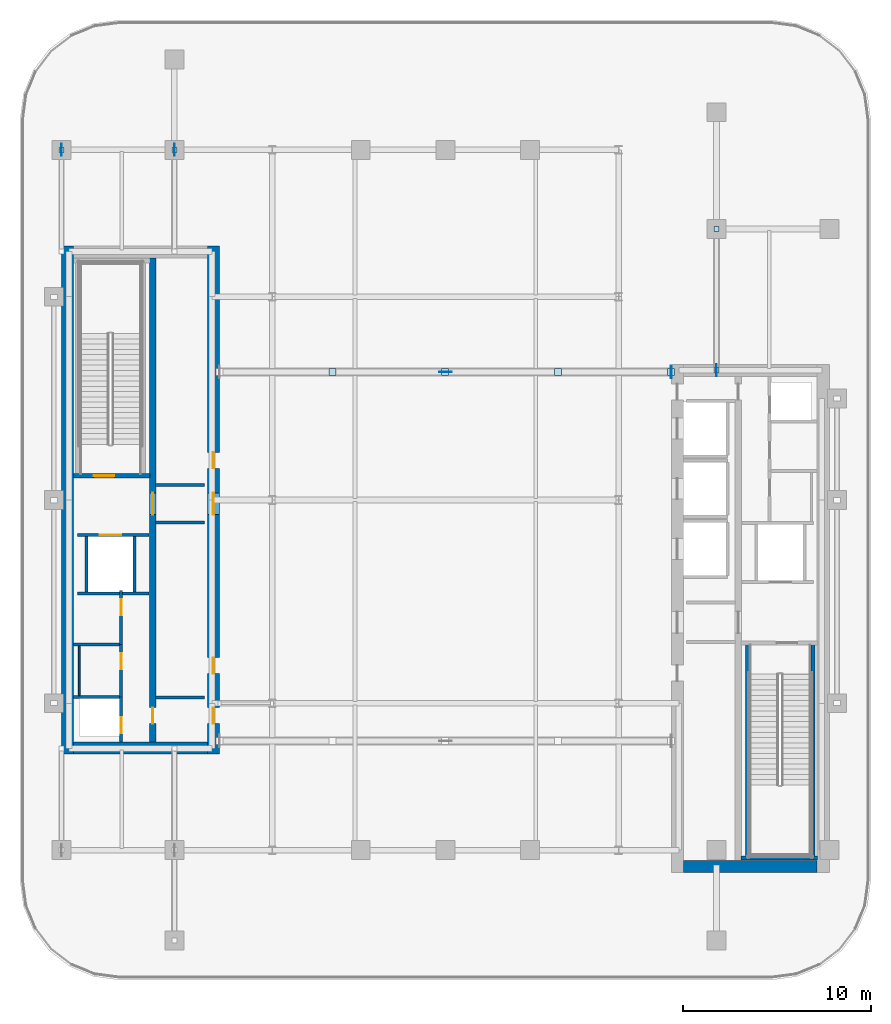
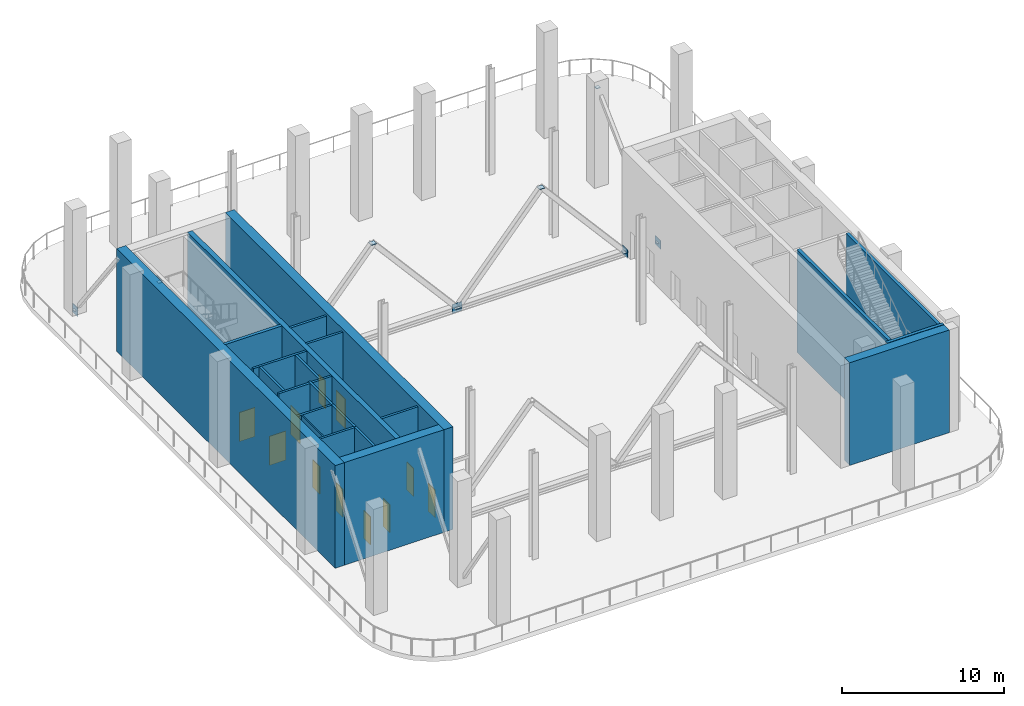
# One storey, part 4 of 12: 22 walls, 13 plates, 11 doors, 11 openings.
"""IFC4 building model written with IfcOpenShell, lengths in metres."""

import ifcopenshell
import ifcopenshell.guid

model = None  # the IFC model being written
_history = None  # IfcOwnerHistory: only IFC2X3 demands one
_inside = {}  # id of a spatial element -> (the spatial element, [elements in it])
_under = {}  # id of a project, library or spatial element -> (it, [spatial elements below it])
_declared = {}  # id of a project -> (the project, [libraries it declares])
_typed = {}  # id of a type object -> (the type object, [elements of that type])
_made_of = {}  # id of a material, layer set ... -> (it, [elements and type objects made of it])


def new_model(schema):
    """Start an empty IFC model of exactly this schema.

    Asked for "IFC4X3", IfcOpenShell would pick the latest addendum, in which some entities
    have other attributes; the version numbers below select the first issue.
    IFC2X3 requires an IfcOwnerHistory on every rooted entity: one is made here for all.
    """
    global model, _history
    if schema == "IFC4X3":
        model = ifcopenshell.file(schema_version=(4, 3, 0, 0))
    else:
        model = ifcopenshell.file(schema=schema)
    _inside.clear()
    _under.clear()
    _declared.clear()
    _typed.clear()
    _made_of.clear()
    _history = None
    if model.schema == "IFC2X3":
        org = make("IfcOrganization", Name="unknown")
        user = make(
            "IfcPersonAndOrganization",
            ThePerson=make("IfcPerson", FamilyName="unknown"),
            TheOrganization=org,
        )
        app = make(
            "IfcApplication",
            ApplicationDeveloper=org,
            Version="unknown",
            ApplicationFullName="unknown",
            ApplicationIdentifier="unknown",
        )
        _history = make(
            "IfcOwnerHistory",
            OwningUser=user,
            OwningApplication=app,
            ChangeAction="ADDED",
            CreationDate=0,
        )
    return model


def make(cls, **values):
    """One entity of the class cls with the attributes given. An attribute that is None is left unset."""
    return model.create_entity(
        cls, **{name: value for name, value in values.items() if value is not None}
    )


def rooted(cls, **values):
    """An entity with a GlobalId (a new one), such as an element, a storey or a relation."""
    return make(cls, GlobalId=ifcopenshell.guid.new(), OwnerHistory=_history, **values)


def si_unit(unit_type, name, prefix=None):
    """IfcSIUnit, for example si_unit("LENGTHUNIT", "METRE", prefix="MILLI")."""
    return make("IfcSIUnit", UnitType=unit_type, Prefix=prefix, Name=name)


def assignment(units):
    """IfcUnitAssignment: the units of a project."""
    return None if units is None else make("IfcUnitAssignment", Units=units)


def point(xyz):
    """IfcCartesianPoint."""
    return None if xyz is None else make("IfcCartesianPoint", Coordinates=xyz)


def direction(xyz):
    """IfcDirection."""
    return None if xyz is None else make("IfcDirection", DirectionRatios=xyz)


def frame(location, z_axis=None, x_axis=None):
    """IfcAxis2Placement3D, a coordinate frame: its origin and axes. An axis left out is left unset."""
    return make(
        "IfcAxis2Placement3D",
        Location=point(location),
        Axis=direction(z_axis),
        RefDirection=direction(x_axis),
    )


def frame_2d(location, x_axis=None):
    """IfcAxis2Placement2D, a coordinate frame in the plane: its origin and x axis."""
    return make(
        "IfcAxis2Placement2D", Location=point(location), RefDirection=direction(x_axis)
    )


def origin():
    """The frame at (0, 0, 0) with its axes left unset."""
    return frame((0.0, 0.0, 0.0))


def origin_2d():
    """The frame at (0, 0) in the plane with its x axis left unset."""
    return frame_2d((0.0, 0.0))


def place(relative_to, where):
    """IfcLocalPlacement: puts the frame where relative to a parent placement (None: the world)."""
    return make(
        "IfcLocalPlacement", PlacementRelTo=relative_to, RelativePlacement=where
    )


def context(
    kind, dimensions, precision=None, world=None, true_north=None, identifier=None
):
    """IfcGeometricRepresentationContext, for example the 3D "Model" context."""
    return make(
        "IfcGeometricRepresentationContext",
        ContextIdentifier=identifier,
        ContextType=kind,
        CoordinateSpaceDimension=dimensions,
        Precision=precision,
        WorldCoordinateSystem=world,
        TrueNorth=true_north,
    )


def subcontext(parent, identifier, kind, view, scale=None):
    """IfcGeometricRepresentationSubContext, for example "Body" below "Model"."""
    return make(
        "IfcGeometricRepresentationSubContext",
        ContextIdentifier=identifier,
        ContextType=kind,
        ParentContext=parent,
        TargetScale=scale,
        TargetView=view,
    )


def project(units=None, contexts=None):
    """IfcProject with its units and contexts."""
    return rooted(
        "IfcProject",
        Name="project",
        RepresentationContexts=contexts,
        UnitsInContext=assignment(units),
    )


def spatial(cls, under=None, at=None, **own):
    """A site, building, storey or space (cls), placed at a placement, below another one or the project."""
    s = rooted(cls, ObjectPlacement=at, **own)
    if under is not None:
        _under.setdefault(under.id(), (under, []))[1].append(s)
    return s


def profile(cls, at=None, kind="AREA", **sizes):
    """A parametric profile (cls). Its sizes go by their IFC names, for example OverallWidth=200.0."""
    return make(cls, ProfileType=kind, Position=at, **sizes)


def rectangle(**sizes):
    """IfcRectangleProfileDef."""
    return profile("IfcRectangleProfileDef", **sizes)


def extrude(swept, where, along, depth):
    """IfcExtrudedAreaSolid: the profile swept, set in the frame where, extruded along a direction by depth."""
    return make(
        "IfcExtrudedAreaSolid",
        SweptArea=swept,
        Position=where,
        ExtrudedDirection=direction(along),
        Depth=depth,
    )


def shape(context_of_items, identifier, shape_type, items):
    """IfcShapeRepresentation: the items that make up one representation, for example the "Body"."""
    return make(
        "IfcShapeRepresentation",
        ContextOfItems=context_of_items,
        RepresentationIdentifier=identifier,
        RepresentationType=shape_type,
        Items=items,
    )


def material(Name=None, Category=None):
    """IfcMaterial."""
    return make("IfcMaterial", Name=Name, Category=Category)


def layer(
    of_material, thickness, ventilated=None, Name=None, Category=None, Priority=None
):
    """IfcMaterialLayer: one layer of a wall or slab, of a material (None: an air gap)."""
    return make(
        "IfcMaterialLayer",
        Material=of_material,
        LayerThickness=thickness,
        IsVentilated=ventilated,
        Name=Name,
        Category=Category,
        Priority=Priority,
    )


def layer_set(layers, Name=None):
    """IfcMaterialLayerSet."""
    return make("IfcMaterialLayerSet", MaterialLayers=layers, LayerSetName=Name)


def made_of(thing, what):
    """Note that an element or type object is made of a material, layer set ...; save() writes the relation."""
    if what is not None:
        _made_of.setdefault(what.id(), (what, []))[1].append(thing)
    return thing


def type_object(cls, material=None, **own):
    """A type object (cls), such as IfcWallType, which elements share."""
    return made_of(rooted(cls, **own), material)


def element(
    cls,
    number,
    at=None,
    inside=None,
    cuts=None,
    type_object=None,
    material=None,
    context=None,
    identifier="Body",
    shape_type=None,
    held_by="IfcProductDefinitionShape",
    body=None,
    shapes=None,
    **own,
):
    """One element of the class cls, such as IfcWall. Its Tag is "e" and its number.

    at: its placement. inside: the storey or other place that contains it. cuts: it is an
    opening in that element (IfcRelVoidsElement). A single representation is given by context,
    identifier, shape_type and body (its items); several are given by shapes. held_by: the class
    of the entity that holds the representations. save() writes the other relations.
    """
    e = rooted(cls, Tag="e%d" % number, ObjectPlacement=at, **own)
    if body is not None:
        shapes = [shape(context, identifier, shape_type, body)]
    if shapes is not None:
        e.Representation = make(held_by, Representations=shapes)
    if inside is not None:
        _inside.setdefault(inside.id(), (inside, []))[1].append(e)
    if cuts is not None:
        rooted(
            "IfcRelVoidsElement", RelatingBuildingElement=cuts, RelatedOpeningElement=e
        )
    if type_object is not None:
        _typed.setdefault(type_object.id(), (type_object, []))[1].append(e)
    return made_of(e, material)


def fill(opening, filler):
    """IfcRelFillsElement: the door or window that sits in an opening."""
    return rooted(
        "IfcRelFillsElement",
        RelatingOpeningElement=opening,
        RelatedBuildingElement=filler,
    )


def aggregate(whole, parts):
    """IfcRelAggregates: a whole, such as a stair, and the parts it consists of."""
    return rooted("IfcRelAggregates", RelatingObject=whole, RelatedObjects=parts)


def save(model, path):
    """Write the relations noted so far, then the file.

    IfcRelAggregates (storeys below a building ...), IfcRelContainedInSpatialStructure (elements
    in a storey), IfcRelDefinesByType, IfcRelAssociatesMaterial and IfcRelDeclares: one each for
    every whole, place, type object, material and project.
    """
    for whole, parts in _under.values():
        aggregate(whole, parts)
    for where, things in _inside.values():
        rooted(
            "IfcRelContainedInSpatialStructure",
            RelatedElements=things,
            RelatingStructure=where,
        )
    for kind, things in _typed.values():
        rooted("IfcRelDefinesByType", RelatedObjects=things, RelatingType=kind)
    for what, things in _made_of.values():
        rooted("IfcRelAssociatesMaterial", RelatedObjects=things, RelatingMaterial=what)
    for by, libraries in _declared.values():
        rooted("IfcRelDeclares", RelatingContext=by, RelatedDefinitions=libraries)
    model.write(path)


model = new_model("IFC4")

# Units and contexts
model_context = context("Model", 3, precision=1e-05, world=origin(), true_north=direction((0.0, 1.0)))
body_context = subcontext(model_context, "Body", "Model", "MODEL_VIEW")
ifc_project = project(units=[si_unit("LENGTHUNIT", "METRE"), si_unit("AREAUNIT", "SQUARE_METRE"), si_unit("VOLUMEUNIT", "CUBIC_METRE"), si_unit("PLANEANGLEUNIT", "RADIAN"), si_unit("MASSUNIT", "GRAM", prefix="KILO")], contexts=[model_context])

# Site, building, storey
site_placement = place(None, origin())
site = spatial("IfcSite", under=ifc_project, at=site_placement, CompositionType="ELEMENT")
building_placement = place(site_placement, origin())
building = spatial("IfcBuilding", under=site, at=building_placement, Name="Khairoan Windgate Tower", CompositionType="ELEMENT")
storey_placement = place(building_placement, frame((0.0, 0.0, 214.39990234375)))
storey = spatial("IfcBuildingStorey", under=building, at=storey_placement, Name="L50", CompositionType="ELEMENT", Elevation=214.39990234375)

# Plates
ifc_material_1 = material(Name="Steel S355", Category="steel")
ifc_layer_1 = layer(ifc_material_1, 0.0400390625, Name="Steel S355")
ifc_layer_set_1 = layer_set([ifc_layer_1], Name="Steel S355")
plate_type_1 = type_object("IfcPlateType", Name="Hollow Section End-Cap Plate PL-CAP40", PredefinedType="SHEET", material=ifc_layer_set_1)
for number, where, z_axis, x_axis, name in (
    (1, (-6.009765625, 6.800048828125, 7.15869140625), (0.0, 0.0, 1.0), (1.0, 0.0, 0.0), "BR-OT-L50-05 steel end-cap plate 2"),
    (2, (-0.009765625, 6.800048828125, 0.21142578125), (0.0, 0.0, 1.0), (1.0, 0.0, 0.0), "BR-OT-L50-06 steel end-cap plate 2"),
    (3, (5.990234375, 6.800048828125, 7.15869140625), (0.0, 0.0, 1.0), (1.0, 0.0, 0.0), "BR-OT-L50-07 steel end-cap plate 2"),
    (4, (11.990234375, 6.800048828125, 0.21142578125), (0.0, 0.0, 1.0), (1.0, 0.0, 0.0), "BR-OT-L50-08 steel end-cap plate 2"),
):
    element("IfcPlate", number, at=place(storey_placement, frame(where, z_axis=z_axis, x_axis=x_axis)), inside=storey, type_object=plate_type_1, Name=name, PredefinedType="SHEET", context=body_context, shape_type="SweptSolid", body=[
        extrude(rectangle(XDim=0.3701171875, YDim=0.3701171875, at=origin_2d()), origin(), (0.0, 0.0, 1.0), 0.0400390625),
    ])
for number, where, z_axis, x_axis, name in (
    (5, (-20.39990234375, 18.591064453125, 0.011962890625), (0.0, 0.0, 1.0), (0.0, 1.0, 0.0), "BR-BT-L50-02 steel end-cap plate 2"),
    (6, (-14.39990234375, 18.591064453125, 0.011962890625), (0.0, 0.0, 1.0), (0.0, 1.0, 0.0), "BR-BT-L50-04 steel end-cap plate 2"),
    (7, (14.39990234375, 6.910888671875, 0.010498046875), (0.0, 0.0, 1.0), (0.0, 1.0, 0.0), "BR-BT-L50-05 steel end-cap plate 1"),
    (8, (14.39990234375, 14.38916015625, 7.15966796875), (0.0, 0.0, 1.0), (0.0, 1.0, 0.0), "BR-BT-L50-05 steel end-cap plate 2"),
):
    element("IfcPlate", number, at=place(storey_placement, frame(where, z_axis=z_axis, x_axis=x_axis)), inside=storey, type_object=plate_type_1, Name=name, PredefinedType="SHEET", context=body_context, shape_type="SweptSolid", body=[
        extrude(rectangle(XDim=0.27001953125, YDim=0.27001953125, at=origin_2d()), origin(), (0.0, 0.0, 1.0), 0.0400390625),
    ])
ifc_material_2 = material(Name="Steel S355", Category="steel")
ifc_layer_2 = layer(ifc_material_2, 0.031982421875, Name="Steel S355")
ifc_layer_set_2 = layer_set([ifc_layer_2], Name="Steel S355")
plate_type_2 = type_object("IfcPlateType", Name="Outrigger Node Gusset Plate PL-GUS32", PredefinedType="SHEET", material=ifc_layer_set_2)
plate_1_placement = place(storey_placement, frame((12.0, 6.800048828125, -0.104736328125), z_axis=(0.0, 0.0, 1.0), x_axis=(1.0, 0.0, 0.0)))
element("IfcPlate", 9, at=plate_1_placement, inside=storey, type_object=plate_type_2, Name="L50 Outrigger Chord East End Gusset", PredefinedType="SHEET", context=body_context, shape_type="SweptSolid", body=[
    extrude(rectangle(XDim=0.031982421875, YDim=0.64990234375, at=origin_2d()), origin(), (0.0, 0.0, 1.0), 0.64990234375),
])
plate_2_placement = place(storey_placement, frame((0.0, 6.800048828125, -0.11962890625), z_axis=(0.0, 0.0, 1.0), x_axis=(1.0, 0.0, 0.0)))
element("IfcPlate", 10, at=plate_2_placement, inside=storey, type_object=plate_type_2, Name="L50 Outrigger Brace End Gusset 06", PredefinedType="SHEET", context=body_context, shape_type="SweptSolid", body=[
    extrude(rectangle(XDim=0.679931640625, YDim=0.031982421875, at=origin_2d()), origin(), (0.0, 0.0, 1.0), 0.679931640625),
])
for number, where, z_axis, x_axis, name in (
    (11, (-20.39990234375, 18.60009765625, -0.304931640625), (0.0, 0.0, 1.0), (1.0, 0.0, 0.0), "L50 Belt Brace End Gusset 02"),
    (12, (-14.39990234375, 18.60009765625, -0.304931640625), (0.0, 0.0, 1.0), (1.0, 0.0, 0.0), "L50 Belt Brace End Gusset 04"),
    (13, (14.39990234375, 6.89990234375, -0.304931640625), (0.0, 0.0, 1.0), (1.0, 0.0, 0.0), "L50 Belt Brace Start Gusset 05"),
):
    element("IfcPlate", number, at=place(storey_placement, frame(where, z_axis=z_axis, x_axis=x_axis)), inside=storey, type_object=plate_type_2, Name=name, PredefinedType="SHEET", context=body_context, shape_type="SweptSolid", body=[
        extrude(rectangle(XDim=0.031982421875, YDim=0.64990234375, at=origin_2d()), origin(), (0.0, 0.0, 1.0), 0.64990234375),
    ])

# Wall
ifc_material_3 = material(Name="Moisture-Resistant Gypsum Partition", Category="gypsum")
ifc_layer_3 = layer(ifc_material_3, 0.10009765625, Name="Moisture-Resistant Gypsum Partition")
ifc_layer_set_3 = layer_set([ifc_layer_3], Name="Moisture-Resistant Gypsum Partition")
wall_type_1 = type_object("IfcWallType", Name="Bathroom Wet-Area Partition Wall", PredefinedType="PARTITIONING", material=ifc_layer_set_3)
wall_1_placement = place(storey_placement, frame((-19.449951171875, -10.389892578125, 0.0), z_axis=(0.0, 0.0, 1.0), x_axis=(0.0, 1.0, 0.0)))
element("IfcWall", 14, at=wall_1_placement, inside=storey, type_object=wall_type_1, Name="L50 Wet Room Side Wall 011", PredefinedType="PARTITIONING", context=body_context, shape_type="SweptSolid", body=[
    extrude(rectangle(XDim=2.639892578125, YDim=0.10009765625, at=frame_2d((1.31982421875, 0.0))), origin(), (0.0, 0.0, 1.0), 7.739990234375),
])

# Wall, opening, door
ifc_material_4 = material(Name="Concrete C40/50", Category="concrete")
ifc_layer_4 = layer(ifc_material_4, 0.159912109375, Name="Concrete C40/50")
ifc_layer_set_4 = layer_set([ifc_layer_4], Name="Concrete C40/50")
wall_type_2 = type_object("IfcWallType", Name="Core and Hoistway Enclosure Wall", PredefinedType="STANDARD", material=ifc_layer_set_4)
wall_2_placement = place(storey_placement, frame((-19.550048828125, -1.860107421875, 0.0), z_axis=(0.0, 0.0, 1.0), x_axis=(1.0, 0.0, 0.0)))
wall_2 = element("IfcWall", 15, at=wall_2_placement, inside=storey, type_object=wall_type_2, Name="L50 Core Shaft Wall SW-FL2-L50", PredefinedType="STANDARD", context=body_context, shape_type="SweptSolid", body=[
    extrude(rectangle(XDim=3.800048828125, YDim=0.159912109375, at=frame_2d((1.89990234375, 0.0))), origin(), (0.0, 0.0, 1.0), 7.739990234375),
])
opening_1_placement = place(wall_2_placement, frame((1.179931640625, 0.0, 0.0)))
opening_1 = element("IfcOpeningElement", 16, at=opening_1_placement, cuts=wall_2, Name="Opening LD-FL", PredefinedType="OPENING", context=body_context, shape_type="SweptSolid", body=[
    extrude(rectangle(XDim=1.14990234375, YDim=2.199951171875, at=frame_2d((0.574951171875, 1.10009765625))), frame((0.0, 0.08984375, 0.0), z_axis=(0.0, -1.0, 0.0), x_axis=(1.0, 0.0, 0.0)), (0.0, 0.0, 1.0), 0.179931640625),
])
ifc_material_5 = material(Name="Steel S355", Category="steel")
door_type_1 = type_object("IfcDoorType", Name="Firefighting Lift Sliding Landing Door LD-FL 1150x2200", OperationType="DOUBLE_DOOR_SLIDING", PredefinedType="DOOR", material=ifc_material_5)
door_1_placement = place(opening_1_placement, origin())
door_1 = element("IfcDoor", 17, at=door_1_placement, inside=storey, type_object=door_type_1, Name="L50 Firefighting Lift FL2 Landing Door", OperationType="DOUBLE_DOOR_SLIDING", OverallHeight=2.199951171875, OverallWidth=1.14990234375, PredefinedType="DOOR", context=body_context, shape_type="SweptSolid", body=[
    extrude(rectangle(XDim=1.14990234375, YDim=2.199951171875, at=frame_2d((0.574951171875, 1.10009765625))), frame((0.0, 0.02490234375, 0.0), z_axis=(0.0, -1.0, 0.0), x_axis=(1.0, 0.0, 0.0)), (0.0, 0.0, 1.0), 0.050048828125),
])
fill(opening_1, door_1)

# Walls
wall_3_placement = place(storey_placement, frame((-19.550048828125, -4.97998046875, 0.0), z_axis=(0.0, 0.0, 1.0), x_axis=(1.0, 0.0, 0.0)))
element("IfcWall", 18, at=wall_3_placement, inside=storey, type_object=wall_type_2, Name="L50 Core Shaft Wall SW-FL2B-L50", PredefinedType="STANDARD", context=body_context, shape_type="SweptSolid", body=[
    extrude(rectangle(XDim=3.800048828125, YDim=0.159912109375, at=frame_2d((1.89990234375, 0.0))), origin(), (0.0, 0.0, 1.0), 7.739990234375),
])
for number, where, z_axis, x_axis, name in (
    (19, (-19.080078125, -4.89990234375, 0.0), (0.0, 0.0, 1.0), (0.0, 1.0, 0.0), "L50 Core Shaft Wall SW-FL2W-L50"),
    (20, (-16.52001953125, -4.89990234375, 0.0), (0.0, 0.0, 1.0), (0.0, 1.0, 0.0), "L50 Core Shaft Wall SW-FL2E-L50"),
):
    element("IfcWall", number, at=place(storey_placement, frame(where, z_axis=z_axis, x_axis=x_axis)), inside=storey, type_object=wall_type_2, Name=name, PredefinedType="STANDARD", context=body_context, shape_type="SweptSolid", body=[
        extrude(rectangle(XDim=2.9599609375, YDim=0.159912109375, at=frame_2d((1.47998046875, 0.0))), origin(), (0.0, 0.0, 1.0), 7.739990234375),
    ])
for number, where, z_axis, x_axis, name in (
    (21, (-15.39990234375, 0.800048828125, 0.0), (0.0, 0.0, 1.0), (1.0, 0.0, 0.0), "L50 Core Shaft Wall SW-WV1-L50"),
    (22, (-15.39990234375, -1.199951171875, 0.0), (0.0, 0.0, 1.0), (1.0, 0.0, 0.0), "L50 Core Shaft Wall SW-WV2-L50"),
    (23, (-15.39990234375, -10.47998046875, 0.0), (0.0, 0.0, 1.0), (1.0, 0.0, 0.0), "L50 Core Shaft Wall SW-WSV-L50"),
):
    element("IfcWall", number, at=place(storey_placement, frame(where, z_axis=z_axis, x_axis=x_axis)), inside=storey, type_object=wall_type_2, Name=name, PredefinedType="STANDARD", context=body_context, shape_type="SweptSolid", body=[
        extrude(rectangle(XDim=2.599853515625, YDim=0.159912109375, at=frame_2d((1.2998046875, 0.0))), origin(), (0.0, 0.0, 1.0), 7.739990234375),
    ])

# Wall, opening, door
ifc_material_6 = material(Name="Concrete C40/50", Category="concrete")
ifc_layer_5 = layer(ifc_material_6, 0.159912109375, Name="Concrete C40/50")
ifc_layer_set_5 = layer_set([ifc_layer_5], Name="Concrete C40/50")
wall_type_3 = type_object("IfcWallType", Name="Plant and Refuge Compartment Wall", PredefinedType="PARTITIONING", material=ifc_layer_set_5)
wall_4_placement = place(storey_placement, frame((-17.22998046875, -12.85009765625, 0.0), z_axis=(0.0, 0.0, 1.0), x_axis=(0.0, 1.0, 0.0)))
wall_4 = element("IfcWall", 24, at=wall_4_placement, inside=storey, type_object=wall_type_3, Name="L50 Interior Partition 001", PredefinedType="PARTITIONING", context=body_context, shape_type="SweptSolid", body=[
    extrude(rectangle(XDim=2.380126953125, YDim=0.159912109375, at=frame_2d((1.18994140625, 0.0))), origin(), (0.0, 0.0, 1.0), 7.739990234375),
])
opening_2_placement = place(wall_4_placement, frame((0.4599609375, 0.0, 0.0)))
opening_2 = element("IfcOpeningElement", 25, at=opening_2_placement, cuts=wall_4, Name="Opening FD-SRV", PredefinedType="OPENING", context=body_context, shape_type="SweptSolid", body=[
    extrude(rectangle(XDim=0.85009765625, YDim=2.10009765625, at=frame_2d((0.425048828125, 1.050048828125))), frame((0.0, 0.08984375, 0.0), z_axis=(0.0, -1.0, 0.0), x_axis=(1.0, 0.0, 0.0)), (0.0, 0.0, 1.0), 0.179931640625),
])
ifc_material_7 = material(Name="Steel S355", Category="steel")
door_type_2 = type_object("IfcDoorType", Name="Core Service and Riser Fire Door FD-SRV 850x2100", OperationType="NOTDEFINED", PredefinedType="DOOR", material=ifc_material_7)
door_2_placement = place(opening_2_placement, origin())
door_2 = element("IfcDoor", 26, at=door_2_placement, inside=storey, type_object=door_type_2, Name="L50 L50-04-L50-05 Door", OperationType="SINGLE_SWING_LEFT", OverallHeight=2.10009765625, OverallWidth=0.85009765625, PredefinedType="DOOR", context=body_context, shape_type="SweptSolid", body=[
    extrude(rectangle(XDim=0.85009765625, YDim=2.10009765625, at=frame_2d((0.425048828125, 1.050048828125))), frame((0.0, 0.02490234375, 0.0), z_axis=(0.0, -1.0, 0.0), x_axis=(1.0, 0.0, 0.0)), (0.0, 0.0, 1.0), 0.050048828125),
])
fill(opening_2, door_2)

wall_5_placement = place(storey_placement, frame((-17.22998046875, -10.469970703125, 0.0), z_axis=(0.0, 0.0, 1.0), x_axis=(0.0, 1.0, 0.0)))
wall_5 = element("IfcWall", 27, at=wall_5_placement, inside=storey, type_object=wall_type_3, Name="L50 Interior Partition 002", PredefinedType="PARTITIONING", context=body_context, shape_type="SweptSolid", body=[
    extrude(rectangle(XDim=2.800048828125, YDim=0.159912109375, at=frame_2d((1.39990234375, 0.0))), origin(), (0.0, 0.0, 1.0), 7.739990234375),
])
opening_3_placement = place(wall_5_placement, frame((1.489990234375, 0.0, 0.0)))
opening_3 = element("IfcOpeningElement", 28, at=opening_3_placement, cuts=wall_5, Name="Opening FD-SRV", PredefinedType="OPENING", context=body_context, shape_type="SweptSolid", body=[
    extrude(rectangle(XDim=0.85009765625, YDim=2.10009765625, at=frame_2d((0.425048828125, 1.050048828125))), frame((0.0, 0.08984375, 0.0), z_axis=(0.0, -1.0, 0.0), x_axis=(1.0, 0.0, 0.0)), (0.0, 0.0, 1.0), 0.179931640625),
])
door_3_placement = place(opening_3_placement, origin())
door_3 = element("IfcDoor", 29, at=door_3_placement, inside=storey, type_object=door_type_2, Name="L50 L50-04-L50-06 Door", OperationType="SINGLE_SWING_RIGHT", OverallHeight=2.10009765625, OverallWidth=0.85009765625, PredefinedType="DOOR", context=body_context, shape_type="SweptSolid", body=[
    extrude(rectangle(XDim=0.85009765625, YDim=2.10009765625, at=frame_2d((0.425048828125, 1.050048828125))), frame((0.0, 0.02490234375, 0.0), z_axis=(0.0, -1.0, 0.0), x_axis=(1.0, 0.0, 0.0)), (0.0, 0.0, 1.0), 0.050048828125),
])
fill(opening_3, door_3)

wall_6_placement = place(storey_placement, frame((-17.22998046875, -7.669921875, 0.0), z_axis=(0.0, 0.0, 1.0), x_axis=(0.0, 1.0, 0.0)))
wall_6 = element("IfcWall", 30, at=wall_6_placement, inside=storey, type_object=wall_type_3, Name="L50 Interior Partition 003", PredefinedType="PARTITIONING", context=body_context, shape_type="SweptSolid", body=[
    extrude(rectangle(XDim=2.85986328125, YDim=0.159912109375, at=frame_2d((1.429931640625, 0.0))), origin(), (0.0, 0.0, 1.0), 7.739990234375),
])
opening_4_placement = place(wall_6_placement, frame((1.550048828125, 0.0, 0.0)))
opening_4 = element("IfcOpeningElement", 31, at=opening_4_placement, cuts=wall_6, Name="Opening FD-SRV", PredefinedType="OPENING", context=body_context, shape_type="SweptSolid", body=[
    extrude(rectangle(XDim=0.85009765625, YDim=2.10009765625, at=frame_2d((0.425048828125, 1.050048828125))), frame((0.0, 0.08984375, 0.0), z_axis=(0.0, -1.0, 0.0), x_axis=(1.0, 0.0, 0.0)), (0.0, 0.0, 1.0), 0.179931640625),
])
door_4_placement = place(opening_4_placement, origin())
door_4 = element("IfcDoor", 32, at=door_4_placement, inside=storey, type_object=door_type_2, Name="L50 L50-04-L50-07 Door", OperationType="SINGLE_SWING_LEFT", OverallHeight=2.10009765625, OverallWidth=0.85009765625, PredefinedType="DOOR", context=body_context, shape_type="SweptSolid", body=[
    extrude(rectangle(XDim=0.85009765625, YDim=2.10009765625, at=frame_2d((0.425048828125, 1.050048828125))), frame((0.0, 0.02490234375, 0.0), z_axis=(0.0, -1.0, 0.0), x_axis=(1.0, 0.0, 0.0)), (0.0, 0.0, 1.0), 0.050048828125),
])
fill(opening_4, door_4)

# Walls
for number, where, z_axis, x_axis, name in (
    (33, (-19.75, -10.469970703125, 0.0), (0.0, 0.0, 1.0), (1.0, 0.0, 0.0), "L50 Interior Partition 004"),
    (34, (-19.75, -7.669921875, 0.0), (0.0, 0.0, 1.0), (1.0, 0.0, 0.0), "L50 Interior Partition 005"),
):
    element("IfcWall", number, at=place(storey_placement, frame(where, z_axis=z_axis, x_axis=x_axis)), inside=storey, type_object=wall_type_3, Name=name, PredefinedType="PARTITIONING", context=body_context, shape_type="SweptSolid", body=[
        extrude(rectangle(XDim=2.43994140625, YDim=0.159912109375, at=frame_2d((1.219970703125, 0.0))), origin(), (0.0, 0.0, 1.0), 7.739990234375),
    ])
ifc_material_8 = material(Name="Concrete C60/75", Category="concrete")
ifc_layer_6 = layer(ifc_material_8, 0.64990234375, Name="Concrete C60/75")
ifc_layer_set_6 = layer_set([ifc_layer_6], Name="Concrete C60/75")
wall_type_4 = type_object("IfcWallType", Name="Shear Wall CW-E2 650mm", PredefinedType="SHEAR", material=ifc_layer_set_6)
wall_7_placement = place(storey_placement, frame((12.64990234375, -19.47509765625, 0.0), z_axis=(0.0, 0.0, 1.0), x_axis=(1.0, 0.0, 0.0)))
element("IfcWall", 35, at=wall_7_placement, inside=storey, type_object=wall_type_4, Name="E Core South Shear Wall L50", PredefinedType="SHEAR", context=body_context, shape_type="SweptSolid", body=[
    extrude(rectangle(XDim=7.10009765625, YDim=0.64990234375, at=frame_2d((3.550048828125, 0.0))), origin(), (0.0, 0.0, 1.0), 7.739990234375),
])
ifc_material_9 = material(Name="Concrete C60/75", Category="concrete")
ifc_layer_7 = layer(ifc_material_9, 0.64990234375, Name="Concrete C60/75")
ifc_layer_set_7 = layer_set([ifc_layer_7], Name="Concrete C60/75")
wall_type_5 = type_object("IfcWallType", Name="Shear Wall CW-W2 650mm", PredefinedType="SHEAR", material=ifc_layer_set_7)
wall_8_placement = place(storey_placement, frame((-20.074951171875, -13.5, 0.0), z_axis=(0.0, 0.0, 1.0), x_axis=(0.0, 1.0, 0.0)))
element("IfcWall", 36, at=wall_8_placement, inside=storey, type_object=wall_type_5, Name="W Core West Shear Wall L50", PredefinedType="SHEAR", context=body_context, shape_type="SweptSolid", body=[
    extrude(rectangle(XDim=27.0, YDim=0.64990234375, at=frame_2d((13.5, 0.0))), origin(), (0.0, 0.0, 1.0), 7.739990234375),
])

# Wall, openings, doors
wall_9_placement = place(storey_placement, frame((-12.324951171875, -13.5, 0.0), z_axis=(0.0, 0.0, 1.0), x_axis=(0.0, 1.0, 0.0)))
wall_9 = element("IfcWall", 37, at=wall_9_placement, inside=storey, type_object=wall_type_5, Name="W Core East Shear Wall L50", PredefinedType="SHEAR", context=body_context, shape_type="SweptSolid", body=[
    extrude(rectangle(XDim=27.0, YDim=0.64990234375, at=frame_2d((13.5, 0.0))), origin(), (0.0, 0.0, 1.0), 7.739990234375),
])
opening_5_placement = place(wall_9_placement, frame((15.175048828125, 0.0, 0.0)))
opening_5 = element("IfcOpeningElement", 38, at=opening_5_placement, cuts=wall_9, Name="Opening FD-SRV", PredefinedType="OPENING", context=body_context, shape_type="SweptSolid", body=[
    extrude(rectangle(XDim=0.85009765625, YDim=2.10009765625, at=frame_2d((0.425048828125, 1.050048828125))), frame((0.0, 0.3349609375, 0.0), z_axis=(0.0, -1.0, 0.0), x_axis=(1.0, 0.0, 0.0)), (0.0, 0.0, 1.0), 0.669921875),
])
opening_6_placement = place(wall_9_placement, frame((4.27490234375, 0.0, 0.0)))
opening_6 = element("IfcOpeningElement", 39, at=opening_6_placement, cuts=wall_9, Name="Opening FD-SRV", PredefinedType="OPENING", context=body_context, shape_type="SweptSolid", body=[
    extrude(rectangle(XDim=0.85009765625, YDim=2.10009765625, at=frame_2d((0.425048828125, 1.050048828125))), frame((0.0, 0.3349609375, 0.0), z_axis=(0.0, -1.0, 0.0), x_axis=(1.0, 0.0, 0.0)), (0.0, 0.0, 1.0), 0.669921875),
])
opening_7_placement = place(wall_9_placement, frame((12.72509765625, 0.0, 0.0)))
opening_7 = element("IfcOpeningElement", 40, at=opening_7_placement, cuts=wall_9, Name="Opening FD-FFL", PredefinedType="OPENING", context=body_context, shape_type="SweptSolid", body=[
    extrude(rectangle(XDim=1.14990234375, YDim=2.199951171875, at=frame_2d((0.574951171875, 1.10009765625))), frame((0.0, 0.3349609375, 0.0), z_axis=(0.0, -1.0, 0.0), x_axis=(1.0, 0.0, 0.0)), (0.0, 0.0, 1.0), 0.669921875),
])
opening_8_placement = place(wall_9_placement, frame((1.625, 0.0, 0.0)))
opening_8 = element("IfcOpeningElement", 41, at=opening_8_placement, cuts=wall_9, Name="Opening FD-SRV", PredefinedType="OPENING", context=body_context, shape_type="SweptSolid", body=[
    extrude(rectangle(XDim=0.85009765625, YDim=2.10009765625, at=frame_2d((0.425048828125, 1.050048828125))), frame((0.0, 0.3349609375, 0.0), z_axis=(0.0, -1.0, 0.0), x_axis=(1.0, 0.0, 0.0)), (0.0, 0.0, 1.0), 0.669921875),
])
door_5_placement = place(opening_5_placement, origin())
door_5 = element("IfcDoor", 42, at=door_5_placement, inside=storey, type_object=door_type_2, Name="L50 Upper Core Room Door B1-1", OperationType="SINGLE_SWING_RIGHT", OverallHeight=2.10009765625, OverallWidth=0.85009765625, PredefinedType="DOOR", context=body_context, shape_type="SweptSolid", body=[
    extrude(rectangle(XDim=0.85009765625, YDim=2.10009765625, at=frame_2d((0.425048828125, 1.050048828125))), frame((0.0, 0.02490234375, 0.0), z_axis=(0.0, -1.0, 0.0), x_axis=(1.0, 0.0, 0.0)), (0.0, 0.0, 1.0), 0.050048828125),
])
fill(opening_5, door_5)
door_6_placement = place(opening_6_placement, origin())
door_6 = element("IfcDoor", 43, at=door_6_placement, inside=storey, type_object=door_type_2, Name="L50 Upper Core Room Door B2-1", OperationType="SINGLE_SWING_LEFT", OverallHeight=2.10009765625, OverallWidth=0.85009765625, PredefinedType="DOOR", context=body_context, shape_type="SweptSolid", body=[
    extrude(rectangle(XDim=0.85009765625, YDim=2.10009765625, at=frame_2d((0.425048828125, 1.050048828125))), frame((0.0, 0.02490234375, 0.0), z_axis=(0.0, -1.0, 0.0), x_axis=(1.0, 0.0, 0.0)), (0.0, 0.0, 1.0), 0.050048828125),
])
fill(opening_6, door_6)
door_7_placement = place(opening_8_placement, origin())
door_7 = element("IfcDoor", 44, at=door_7_placement, inside=storey, type_object=door_type_2, Name="L50 West Core Service Vestibule Outer Door", OperationType="SINGLE_SWING_LEFT", OverallHeight=2.10009765625, OverallWidth=0.85009765625, PredefinedType="DOOR", context=body_context, shape_type="SweptSolid", body=[
    extrude(rectangle(XDim=0.85009765625, YDim=2.10009765625, at=frame_2d((0.425048828125, 1.050048828125))), frame((0.0, 0.02490234375, 0.0), z_axis=(0.0, -1.0, 0.0), x_axis=(1.0, 0.0, 0.0)), (0.0, 0.0, 1.0), 0.050048828125),
])
fill(opening_8, door_7)
ifc_material_10 = material(Name="Steel S355", Category="steel")
door_type_3 = type_object("IfcDoorType", Name="Firefighting Lobby Fire Door FD-FFL 1150x2200", OperationType="NOTDEFINED", PredefinedType="DOOR", material=ifc_material_10)
door_8_placement = place(opening_7_placement, origin())
door_8 = element("IfcDoor", 45, at=door_8_placement, inside=storey, type_object=door_type_3, Name="L50 West Core Vestibule Entry Door", OperationType="SINGLE_SWING_LEFT", OverallHeight=2.199951171875, OverallWidth=1.14990234375, PredefinedType="DOOR", context=body_context, shape_type="SweptSolid", body=[
    extrude(rectangle(XDim=1.14990234375, YDim=2.199951171875, at=frame_2d((0.574951171875, 1.10009765625))), frame((0.0, 0.02490234375, 0.0), z_axis=(0.0, -1.0, 0.0), x_axis=(1.0, 0.0, 0.0)), (0.0, 0.0, 1.0), 0.050048828125),
])
fill(opening_7, door_8)

# Wall
wall_10_placement = place(storey_placement, frame((-19.75, -13.175048828125, 0.0), z_axis=(0.0, 0.0, 1.0), x_axis=(1.0, 0.0, 0.0)))
element("IfcWall", 46, at=wall_10_placement, inside=storey, type_object=wall_type_5, Name="W Core South Shear Wall L50", PredefinedType="SHEAR", context=body_context, shape_type="SweptSolid", body=[
    extrude(rectangle(XDim=7.10009765625, YDim=0.64990234375, at=frame_2d((3.550048828125, 0.0))), origin(), (0.0, 0.0, 1.0), 7.739990234375),
])

# Wall, openings, doors
ifc_material_11 = material(Name="Concrete C60/75", Category="concrete")
ifc_layer_8 = layer(ifc_material_11, 0.35009765625, Name="Concrete C60/75")
ifc_layer_set_8 = layer_set([ifc_layer_8], Name="Concrete C60/75")
wall_type_6 = type_object("IfcWallType", Name="Shear Wall SW-1 350mm", PredefinedType="SHEAR", material=ifc_layer_set_8)
wall_11_placement = place(storey_placement, frame((-15.550048828125, -12.85009765625, 0.0), z_axis=(0.0, 0.0, 1.0), x_axis=(0.0, 1.0, 0.0)))
wall_11 = element("IfcWall", 47, at=wall_11_placement, inside=storey, type_object=wall_type_6, Name="W Core Spine Shear Wall L50", PredefinedType="SHEAR", context=body_context, shape_type="SweptSolid", body=[
    extrude(rectangle(XDim=25.7001953125, YDim=0.35009765625, at=frame_2d((12.85009765625, 0.0))), origin(), (0.0, 0.0, 1.0), 7.739990234375),
])
opening_9_placement = place(wall_11_placement, frame((12.074951171875, 0.0, 0.0)))
opening_9 = element("IfcOpeningElement", 48, at=opening_9_placement, cuts=wall_11, Name="Opening FD-FFL", PredefinedType="OPENING", context=body_context, shape_type="SweptSolid", body=[
    extrude(rectangle(XDim=1.14990234375, YDim=2.199951171875, at=frame_2d((0.574951171875, 1.10009765625))), frame((0.0, 0.18505859375, 0.0), z_axis=(0.0, -1.0, 0.0), x_axis=(1.0, 0.0, 0.0)), (0.0, 0.0, 1.0), 0.3701171875),
])
opening_10_placement = place(wall_11_placement, frame((0.97509765625, 0.0, 0.0)))
opening_10 = element("IfcOpeningElement", 49, at=opening_10_placement, cuts=wall_11, Name="Opening FD-SRV", PredefinedType="OPENING", context=body_context, shape_type="SweptSolid", body=[
    extrude(rectangle(XDim=0.85009765625, YDim=2.10009765625, at=frame_2d((0.425048828125, 1.050048828125))), frame((0.0, 0.18505859375, 0.0), z_axis=(0.0, -1.0, 0.0), x_axis=(1.0, 0.0, 0.0)), (0.0, 0.0, 1.0), 0.3701171875),
])
door_9_placement = place(opening_10_placement, origin())
door_9 = element("IfcDoor", 50, at=door_9_placement, inside=storey, type_object=door_type_2, Name="L50 West Core Service Passage Inner Door", OperationType="SINGLE_SWING_RIGHT", OverallHeight=2.10009765625, OverallWidth=0.85009765625, PredefinedType="DOOR", context=body_context, shape_type="SweptSolid", body=[
    extrude(rectangle(XDim=0.85009765625, YDim=2.10009765625, at=frame_2d((0.425048828125, 1.050048828125))), frame((0.0, 0.02490234375, 0.0), z_axis=(0.0, -1.0, 0.0), x_axis=(1.0, 0.0, 0.0)), (0.0, 0.0, 1.0), 0.050048828125),
])
fill(opening_10, door_9)
door_10_placement = place(opening_9_placement, origin())
door_10 = element("IfcDoor", 51, at=door_10_placement, inside=storey, type_object=door_type_3, Name="L50 West Firefighting Lobby Fire Door", OperationType="SINGLE_SWING_RIGHT", OverallHeight=2.199951171875, OverallWidth=1.14990234375, PredefinedType="DOOR", context=body_context, shape_type="SweptSolid", body=[
    extrude(rectangle(XDim=1.14990234375, YDim=2.199951171875, at=frame_2d((0.574951171875, 1.10009765625))), frame((0.0, 0.02490234375, 0.0), z_axis=(0.0, -1.0, 0.0), x_axis=(1.0, 0.0, 0.0)), (0.0, 0.0, 1.0), 0.050048828125),
])
fill(opening_9, door_10)

# Walls
ifc_material_12 = material(Name="Concrete C50/60", Category="concrete")
ifc_layer_9 = layer(ifc_material_12, 0.219970703125, Name="Concrete C50/60")
ifc_layer_set_9 = layer_set([ifc_layer_9], Name="Concrete C50/60")
wall_type_7 = type_object("IfcWallType", Name="Shear Wall SW-ST 220mm", PredefinedType="SHEAR", material=ifc_layer_set_9)
for number, where, z_axis, x_axis, name in (
    (52, (16.0400390625, -19.010009765625, 0.0), (0.0, 0.0, 1.0), (0.0, 1.0, 0.0), "L50 Stair ST1 West Bearing Wall"),
    (53, (19.530029296875, -19.010009765625, 0.0), (0.0, 0.0, 1.0), (0.0, 1.0, 0.0), "L50 Stair ST1 East Bearing Wall"),
):
    element("IfcWall", number, at=place(storey_placement, frame(where, z_axis=z_axis, x_axis=x_axis)), inside=storey, type_object=wall_type_7, Name=name, PredefinedType="SHEAR", context=body_context, shape_type="SweptSolid", body=[
        extrude(rectangle(XDim=11.419921875, YDim=0.219970703125, at=frame_2d((5.7099609375, 0.0))), origin(), (0.0, 0.0, 1.0), 7.739990234375),
    ])
wall_12_placement = place(storey_placement, frame((15.705078125, -19.010009765625, 0.0), z_axis=(0.0, 0.0, 1.0), x_axis=(1.0, 0.0, 0.0)))
element("IfcWall", 54, at=wall_12_placement, inside=storey, type_object=wall_type_7, Name="L50 Stair ST1 South Bearing Wall", PredefinedType="SHEAR", context=body_context, shape_type="SweptSolid", body=[
    extrude(rectangle(XDim=4.06494140625, YDim=0.219970703125, at=frame_2d((2.032470703125, 0.0))), origin(), (0.0, 0.0, 1.0), 7.739990234375),
])

# Wall, opening, door
wall_13_placement = place(storey_placement, frame((-19.77001953125, 1.2900390625, 0.0), z_axis=(0.0, 0.0, 1.0), x_axis=(1.0, 0.0, 0.0)))
wall_13 = element("IfcWall", 55, at=wall_13_placement, inside=storey, type_object=wall_type_7, Name="L50 Stair ST2 South Bearing Wall", PredefinedType="SHEAR", context=body_context, shape_type="SweptSolid", body=[
    extrude(rectangle(XDim=4.06494140625, YDim=0.219970703125, at=frame_2d((2.032470703125, 0.0))), origin(), (0.0, 0.0, 1.0), 7.739990234375),
])
opening_11_placement = place(wall_13_placement, frame((1.080078125, 0.0, 0.0)))
opening_11 = element("IfcOpeningElement", 56, at=opening_11_placement, cuts=wall_13, Name="Opening FD-ST", PredefinedType="OPENING", context=body_context, shape_type="SweptSolid", body=[
    extrude(rectangle(XDim=1.10009765625, YDim=2.199951171875, at=frame_2d((0.550048828125, 1.10009765625))), frame((0.0, 0.119873046875, 0.0), z_axis=(0.0, -1.0, 0.0), x_axis=(1.0, 0.0, 0.0)), (0.0, 0.0, 1.0), 0.239990234375),
])
ifc_material_13 = material(Name="Steel S355", Category="steel")
door_type_4 = type_object("IfcDoorType", Name="Smokeproof Stair Fire Door FD-ST 1100x2200", OperationType="NOTDEFINED", PredefinedType="DOOR", material=ifc_material_13)
door_11_placement = place(opening_11_placement, origin())
door_11 = element("IfcDoor", 57, at=door_11_placement, inside=storey, type_object=door_type_4, Name="L50 Stair ST2 Fire Door", OperationType="SINGLE_SWING_LEFT", OverallHeight=2.199951171875, OverallWidth=1.10009765625, PredefinedType="DOOR", context=body_context, shape_type="SweptSolid", body=[
    extrude(rectangle(XDim=1.10009765625, YDim=2.199951171875, at=frame_2d((0.550048828125, 1.10009765625))), frame((0.0, 0.02490234375, 0.0), z_axis=(0.0, -1.0, 0.0), x_axis=(1.0, 0.0, 0.0)), (0.0, 0.0, 1.0), 0.050048828125),
])
fill(opening_11, door_11)

save(model, "model.ifc")
